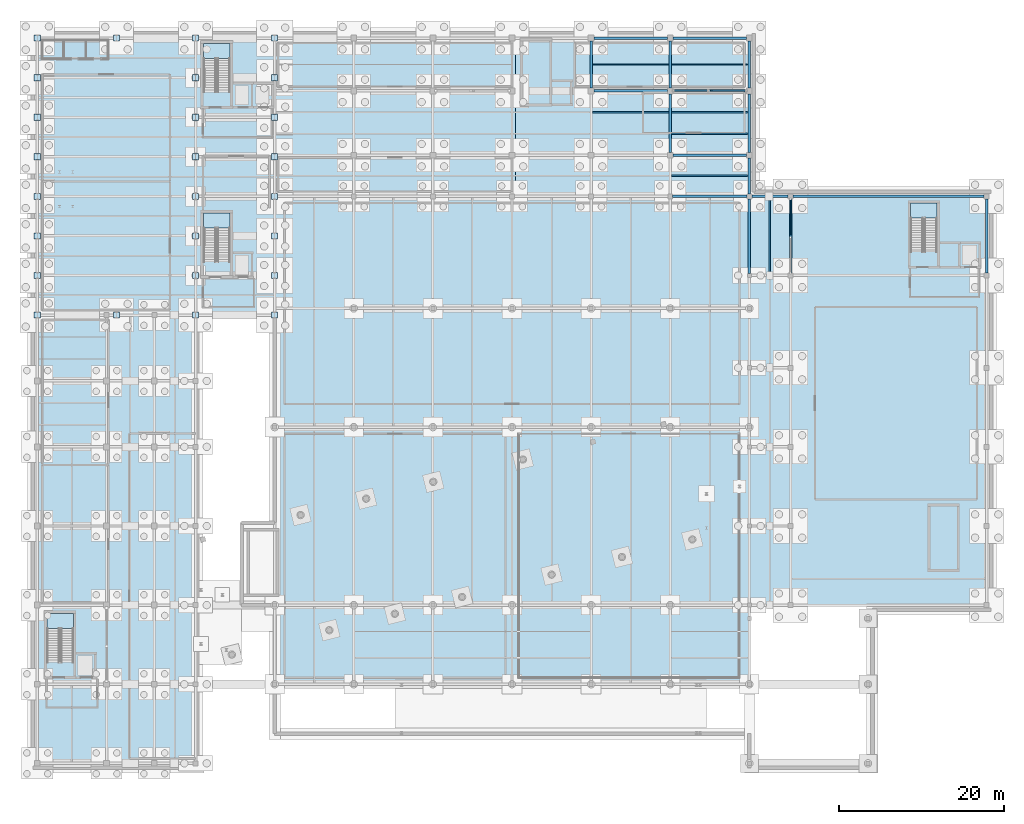
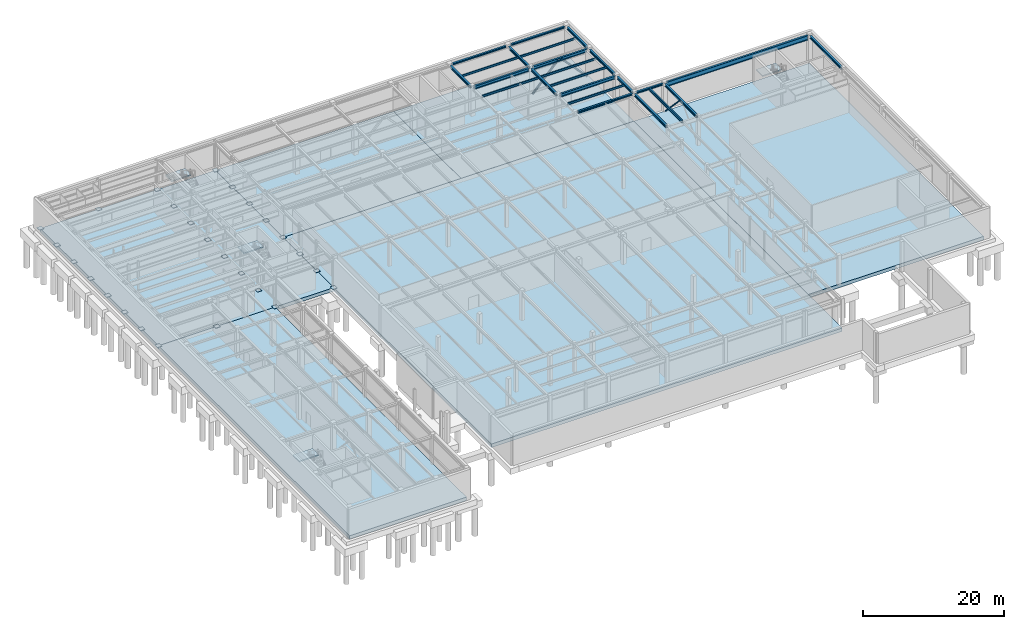
# One storey, part 19 of 33: 26 plates, 24 beams, 10 slabs, 3 members, 4 elements without a shape of their own.
"""IFC4 building model written with IfcOpenShell, lengths in metres."""

from ifc_helpers import new_model, si_unit, direction, frame, origin, origin_2d, place, context, subcontext, project, spatial, polyline, rectangle, hollow_rectangle, hollow_circle, i_section, outline, extrude, material, layer, layer_set, material_profile, profile_set, type_object, element, aggregate, save


model = new_model("IFC4")

# Units and contexts
model_context = context("Model", 3, precision=1e-05, world=origin(), true_north=direction((0.0, 1.0)))
body_context = subcontext(model_context, "Body", "Model", "MODEL_VIEW")
ifc_project = project(units=[si_unit("LENGTHUNIT", "METRE"), si_unit("AREAUNIT", "SQUARE_METRE"), si_unit("VOLUMEUNIT", "CUBIC_METRE"), si_unit("PLANEANGLEUNIT", "RADIAN"), si_unit("MASSUNIT", "GRAM", prefix="KILO")], contexts=[model_context])

# Site, building, storey
site_placement = place(None, origin())
site = spatial("IfcSite", under=ifc_project, at=site_placement, CompositionType="ELEMENT")
building_placement = place(site_placement, origin())
building = spatial("IfcBuilding", under=site, at=building_placement, Name="Nordkorset Police Headquarters", CompositionType="ELEMENT")
storey_placement = place(building_placement, frame((0.0, 0.0, -9.800048828125)))
storey = spatial("IfcBuildingStorey", under=building, at=storey_placement, Name="B02", CompositionType="ELEMENT", Elevation=-9.800048828125)

# Beams
ifc_material_1 = material(Name="Steel S355J2", Category="steel")
ifc_material_profile_1 = material_profile(ifc_material_1, i_section(OverallWidth=0.169921875, OverallDepth=0.360107421875, WebThickness=0.008056640625, FlangeThickness=0.0126953125, FilletRadius=0.01806640625, at=origin_2d()), Name="IPE 360")
ifc_profile_set_1 = profile_set([ifc_material_profile_1], Name="Steel S355J2")
beam_type_1 = type_object("IfcBeamType", Name="Beam_IPE_360", PredefinedType="BEAM", material=ifc_profile_set_1)
for number, where, z_axis, x_axis, name in (
    (1, (67.35009765625, 107.800048828125, 4.7900390625), (1.0, 0.0, 0.0), (0.0, 1.0, 0.0), "Composite Floor Beam V2 B02 4-1-2"),
    (2, (67.35009765625, 113.60009765625, 4.7900390625), (1.0, 0.0, 0.0), (0.0, 1.0, 0.0), "Composite Floor Beam V2 B02 4-2-1"),
):
    element("IfcBeam", number, at=place(storey_placement, frame(where, z_axis=z_axis, x_axis=x_axis)), inside=storey, type_object=beam_type_1, Name=name, PredefinedType="BEAM", context=body_context, shape_type="SweptSolid", body=[
        extrude(i_section(OverallWidth=0.169921875, OverallDepth=0.360107421875, WebThickness=0.008056640625, FlangeThickness=0.0126953125, FilletRadius=0.01806640625, at=origin_2d()), origin(), (0.0, 0.0, 1.0), 9.2998046875),
    ])
for number, where, z_axis, x_axis, name in (
    (3, (76.949951171875, 100.10009765625, 4.7900390625), (1.0, 0.0, 0.0), (0.0, 1.0, 0.0), "Composite Floor Beam V2 B02 5-0-1"),
    (4, (76.949951171875, 105.199951171875, 4.7900390625), (1.0, 0.0, 0.0), (0.0, 1.0, 0.0), "Composite Floor Beam V2 B02 5-1-1"),
    (5, (76.949951171875, 107.800048828125, 4.7900390625), (1.0, 0.0, 0.0), (0.0, 1.0, 0.0), "Composite Floor Beam V2 B02 5-1-2"),
    (6, (76.949951171875, 113.60009765625, 4.7900390625), (1.0, 0.0, 0.0), (0.0, 1.0, 0.0), "Composite Floor Beam V2 B02 5-2-1"),
):
    element("IfcBeam", number, at=place(storey_placement, frame(where, z_axis=z_axis, x_axis=x_axis)), inside=storey, type_object=beam_type_1, Name=name, PredefinedType="BEAM", context=body_context, shape_type="SweptSolid", body=[
        extrude(i_section(OverallWidth=0.169921875, OverallDepth=0.360107421875, WebThickness=0.008056640625, FlangeThickness=0.0126953125, FilletRadius=0.01806640625, at=origin_2d()), origin(), (0.0, 0.0, 1.0), 9.300048828125),
    ])
ifc_material_2 = material(Name="Steel S355J2", Category="steel")
ifc_material_profile_2 = material_profile(ifc_material_2, i_section(OverallWidth=0.18994140625, OverallDepth=0.449951171875, WebThickness=0.009521484375, FlangeThickness=0.0146484375, FilletRadius=0.02099609375, at=origin_2d()), Name="IPE 450")
ifc_profile_set_2 = profile_set([ifc_material_profile_2], Name="Steel S355J2")
beam_type_2 = type_object("IfcBeamType", Name="Beam_IPE_450", PredefinedType="BEAM", material=ifc_profile_set_2)
beam_1_placement = place(storey_placement, frame((88.89990234375, 88.14990234375, 4.7451171875), z_axis=(0.0, 1.0, 0.0), x_axis=(-1.0, 0.0, 0.0)))
element("IfcBeam", 7, at=beam_1_placement, inside=storey, type_object=beam_type_2, Name="Composite Floor Beam V5 B02 0-4-1", PredefinedType="BEAM", context=body_context, shape_type="SweptSolid", body=[
    extrude(i_section(OverallWidth=0.18994140625, OverallDepth=0.449951171875, WebThickness=0.009521484375, FlangeThickness=0.0146484375, FilletRadius=0.02099609375, at=origin_2d()), origin(), (0.0, 0.0, 1.0), 9.300048828125),
])

# Members
ifc_material_3 = material(Name="Steel S355J2", Category="steel")
ifc_material_profile_3 = material_profile(ifc_material_3, hollow_circle(Radius=0.109619140625, WallThickness=0.010009765625, at=origin_2d()), Name="CHS 219.1x10")
ifc_profile_set_3 = profile_set([ifc_material_profile_3], Name="Steel S355J2")
member_type_1 = type_object("IfcMemberType", Name="Brace_CHS_219.1x10", PredefinedType="BRACE", material=ifc_profile_set_3)
member_placement = place(storey_placement, frame((91.39990234375, 97.300048828125, 0.199951171875), z_axis=(0.0, -0.688541836645, 0.725196621055), x_axis=(1.0, 0.0, 0.0)))
element("IfcMember", 8, at=member_placement, inside=storey, type_object=member_type_1, Name="Lateral Chevron Brace BF-V5-A B02 D2", PredefinedType="BRACE", context=body_context, shape_type="SweptSolid", body=[
    extrude(hollow_circle(Radius=0.109619140625, WallThickness=0.010009765625, at=origin_2d()), origin(), (0.0, 0.0, 1.0), 6.274169921875),
])
ifc_material_4 = material(Name="Steel S355J2", Category="steel")
ifc_material_profile_4 = material_profile(ifc_material_4, hollow_rectangle(XDim=0.199951171875, YDim=0.199951171875, WallThickness=0.010009765625, InnerFilletRadius=0.010009765625, OuterFilletRadius=0.02001953125, at=origin_2d()), Name="SHS 200x200x10")
ifc_profile_set_4 = profile_set([ifc_material_profile_4], Name="Steel S355J2")
member_type_2 = type_object("IfcMemberType", Name="Brace_SHS_200x200x10", PredefinedType="BRACE", material=ifc_profile_set_4)
for number, where, z_axis, x_axis, name in (
    (9, (77.14990234375, 110.39990234375, 0.199951171875), (0.684311963758, 0.0, 0.729189369271), (0.0, 1.0, 0.0), "Lateral Chevron Brace BF-V2-B B02 D1"),
    (10, (86.050048828125, 110.39990234375, 0.199951171875), (-0.684311963758, 0.0, 0.729189369271), (0.0, -1.0, 0.0), "Lateral Chevron Brace BF-V2-B B02 D2"),
):
    element("IfcMember", number, at=place(storey_placement, frame(where, z_axis=z_axis, x_axis=x_axis)), inside=storey, type_object=member_type_2, Name=name, PredefinedType="BRACE", context=body_context, shape_type="SweptSolid", body=[
        extrude(hollow_rectangle(XDim=0.199951171875, YDim=0.199951171875, WallThickness=0.010009765625, InnerFilletRadius=0.010009765625, OuterFilletRadius=0.02001953125, at=origin_2d()), origin(), (0.0, 0.0, 1.0), 6.239990234375),
    ])

# Beams
ifc_material_5 = material(Name="Steel S355J2", Category="steel")
ifc_material_profile_5 = material_profile(ifc_material_5, i_section(OverallWidth=0.300048828125, OverallDepth=0.43994140625, WebThickness=0.011474609375, FlangeThickness=0.02099609375, FilletRadius=0.027099609375, at=origin_2d()), Name="HEA 450")
ifc_profile_set_5 = profile_set([ifc_material_profile_5], Name="Steel S355J2")
beam_type_3 = type_object("IfcBeamType", Name="Girder_HEA_450", PredefinedType="USERDEFINED", material=ifc_profile_set_5)
beam_2_placement = place(storey_placement, frame((67.199951171875, 110.75, 4.75), z_axis=(0.0, 1.0, 0.0), x_axis=(-1.0, 0.0, 0.0)))
element("IfcBeam", 11, at=beam_2_placement, inside=storey, type_object=beam_type_3, Name="Girder V2 B02 GY-4-2", ObjectType="GIRDER", PredefinedType="USERDEFINED", context=body_context, shape_type="SweptSolid", body=[
    extrude(i_section(OverallWidth=0.300048828125, OverallDepth=0.43994140625, WebThickness=0.011474609375, FlangeThickness=0.02099609375, FilletRadius=0.027099609375, at=origin_2d()), origin(), (0.0, 0.0, 1.0), 5.699951171875),
])
beam_3_placement = place(storey_placement, frame((76.800048828125, 102.949951171875, 4.75), z_axis=(0.0, 1.0, 0.0), x_axis=(-1.0, 0.0, 0.0)))
element("IfcBeam", 12, at=beam_3_placement, inside=storey, type_object=beam_type_3, Name="Girder V2 B02 GY-5-1", ObjectType="GIRDER", PredefinedType="USERDEFINED", context=body_context, shape_type="SweptSolid", body=[
    extrude(i_section(OverallWidth=0.300048828125, OverallDepth=0.43994140625, WebThickness=0.011474609375, FlangeThickness=0.02099609375, FilletRadius=0.027099609375, at=origin_2d()), origin(), (0.0, 0.0, 1.0), 7.10009765625),
])
beam_4_placement = place(storey_placement, frame((76.800048828125, 110.75, 4.75), z_axis=(0.0, 1.0, 0.0), x_axis=(-1.0, 0.0, 0.0)))
element("IfcBeam", 13, at=beam_4_placement, inside=storey, type_object=beam_type_3, Name="Girder V2 B02 GY-5-2", ObjectType="GIRDER", PredefinedType="USERDEFINED", context=body_context, shape_type="SweptSolid", body=[
    extrude(i_section(OverallWidth=0.300048828125, OverallDepth=0.43994140625, WebThickness=0.011474609375, FlangeThickness=0.02099609375, FilletRadius=0.027099609375, at=origin_2d()), origin(), (0.0, 0.0, 1.0), 5.699951171875),
])
beam_5_placement = place(storey_placement, frame((86.39990234375, 97.89990234375, 4.75), z_axis=(0.0, 1.0, 0.0), x_axis=(-1.0, 0.0, 0.0)))
element("IfcBeam", 14, at=beam_5_placement, inside=storey, type_object=beam_type_3, Name="Girder V2 B02 GY-6-0", ObjectType="GIRDER", PredefinedType="USERDEFINED", context=body_context, shape_type="SweptSolid", body=[
    extrude(i_section(OverallWidth=0.300048828125, OverallDepth=0.43994140625, WebThickness=0.011474609375, FlangeThickness=0.02099609375, FilletRadius=0.027099609375, at=origin_2d()), origin(), (0.0, 0.0, 1.0), 4.35009765625),
])
beam_6_placement = place(storey_placement, frame((86.39990234375, 102.949951171875, 4.75), z_axis=(0.0, 1.0, 0.0), x_axis=(-1.0, 0.0, 0.0)))
element("IfcBeam", 15, at=beam_6_placement, inside=storey, type_object=beam_type_3, Name="Girder V2 B02 GY-6-1", ObjectType="GIRDER", PredefinedType="USERDEFINED", context=body_context, shape_type="SweptSolid", body=[
    extrude(i_section(OverallWidth=0.300048828125, OverallDepth=0.43994140625, WebThickness=0.011474609375, FlangeThickness=0.02099609375, FilletRadius=0.027099609375, at=origin_2d()), origin(), (0.0, 0.0, 1.0), 7.10009765625),
])
beam_7_placement = place(storey_placement, frame((86.39990234375, 110.75, 4.75), z_axis=(0.0, 1.0, 0.0), x_axis=(-1.0, 0.0, 0.0)))
element("IfcBeam", 16, at=beam_7_placement, inside=storey, type_object=beam_type_3, Name="Girder V2 B02 GY-6-2", ObjectType="GIRDER", PredefinedType="USERDEFINED", context=body_context, shape_type="SweptSolid", body=[
    extrude(i_section(OverallWidth=0.300048828125, OverallDepth=0.43994140625, WebThickness=0.011474609375, FlangeThickness=0.02099609375, FilletRadius=0.027099609375, at=origin_2d()), origin(), (0.0, 0.0, 1.0), 5.699951171875),
])
beam_8_placement = place(storey_placement, frame((86.39990234375, 88.25, 4.75), z_axis=(0.0, 1.0, 0.0), x_axis=(-1.0, 0.0, 0.0)))
element("IfcBeam", 17, at=beam_8_placement, inside=storey, type_object=beam_type_3, Name="Girder V5 B02 GY-0-4", ObjectType="GIRDER", PredefinedType="USERDEFINED", context=body_context, shape_type="SweptSolid", body=[
    extrude(i_section(OverallWidth=0.300048828125, OverallDepth=0.43994140625, WebThickness=0.011474609375, FlangeThickness=0.02099609375, FilletRadius=0.027099609375, at=origin_2d()), origin(), (0.0, 0.0, 1.0), 9.050048828125),
])
for number, where, z_axis, x_axis, name in (
    (18, (91.39990234375, 88.300048828125, 4.75), (0.0, 1.0, 0.0), (-1.0, 0.0, 0.0), "Girder V5 B02 GY-1-4"),
    (19, (115.199951171875, 88.300048828125, 4.75), (0.0, 1.0, 0.0), (-1.0, 0.0, 0.0), "Girder V5 B02 GY-2-4"),
):
    element("IfcBeam", number, at=place(storey_placement, frame(where, z_axis=z_axis, x_axis=x_axis)), inside=storey, type_object=beam_type_3, Name=name, ObjectType="GIRDER", PredefinedType="USERDEFINED", context=body_context, shape_type="SweptSolid", body=[
        extrude(i_section(OverallWidth=0.300048828125, OverallDepth=0.43994140625, WebThickness=0.011474609375, FlangeThickness=0.02099609375, FilletRadius=0.027099609375, at=origin_2d()), origin(), (0.0, 0.0, 1.0), 9.0),
    ])
ifc_material_6 = material(Name="Steel S355J2", Category="steel")
ifc_material_profile_6 = material_profile(ifc_material_6, i_section(OverallWidth=0.300048828125, OverallDepth=0.5400390625, WebThickness=0.012451171875, FlangeThickness=0.02392578125, FilletRadius=0.027099609375, at=origin_2d()), Name="HEA 550")
ifc_profile_set_6 = profile_set([ifc_material_profile_6], Name="Steel S355J2")
beam_type_4 = type_object("IfcBeamType", Name="Girder_HEA_550", PredefinedType="USERDEFINED", material=ifc_profile_set_6)
beam_9_placement = place(storey_placement, frame((77.14990234375, 102.60009765625, 4.699951171875), z_axis=(1.0, 0.0, 0.0), x_axis=(0.0, 1.0, 0.0)))
element("IfcBeam", 20, at=beam_9_placement, inside=storey, type_object=beam_type_4, Name="Girder V2 B02 GX-1-5", ObjectType="GIRDER", PredefinedType="USERDEFINED", context=body_context, shape_type="SweptSolid", body=[
    extrude(i_section(OverallWidth=0.300048828125, OverallDepth=0.5400390625, WebThickness=0.012451171875, FlangeThickness=0.02392578125, FilletRadius=0.027099609375, at=origin_2d()), origin(), (0.0, 0.0, 1.0), 8.900146484375),
])
beam_10_placement = place(storey_placement, frame((67.550048828125, 110.39990234375, 4.699951171875), z_axis=(1.0, 0.0, 0.0), x_axis=(0.0, 1.0, 0.0)))
element("IfcBeam", 21, at=beam_10_placement, inside=storey, type_object=beam_type_4, Name="Girder V2 B02 GX-2-4", ObjectType="GIRDER", PredefinedType="USERDEFINED", context=body_context, shape_type="SweptSolid", body=[
    extrude(i_section(OverallWidth=0.300048828125, OverallDepth=0.5400390625, WebThickness=0.012451171875, FlangeThickness=0.02392578125, FilletRadius=0.027099609375, at=origin_2d()), origin(), (0.0, 0.0, 1.0), 8.89990234375),
])
beam_11_placement = place(storey_placement, frame((77.14990234375, 110.39990234375, 4.699951171875), z_axis=(1.0, 0.0, 0.0), x_axis=(0.0, 1.0, 0.0)))
element("IfcBeam", 22, at=beam_11_placement, inside=storey, type_object=beam_type_4, Name="Girder V2 B02 GX-2-5", ObjectType="GIRDER", PredefinedType="USERDEFINED", context=body_context, shape_type="SweptSolid", body=[
    extrude(i_section(OverallWidth=0.300048828125, OverallDepth=0.5400390625, WebThickness=0.012451171875, FlangeThickness=0.02392578125, FilletRadius=0.027099609375, at=origin_2d()), origin(), (0.0, 0.0, 1.0), 8.900146484375),
])
ifc_material_7 = material(Name="Steel S355J2", Category="steel")
ifc_material_profile_7 = material_profile(ifc_material_7, i_section(OverallWidth=0.300048828125, OverallDepth=0.800048828125, WebThickness=0.017578125, FlangeThickness=0.032958984375, FilletRadius=0.030029296875, at=origin_2d()), Name="HEB 800")
ifc_profile_set_7 = profile_set([ifc_material_profile_7], Name="Steel S355J2")
beam_type_5 = type_object("IfcBeamType", Name="Girder_HEB_800", PredefinedType="USERDEFINED", material=ifc_profile_set_7)
beam_12_placement = place(storey_placement, frame((91.699951171875, 97.60009765625, 4.570068359375), z_axis=(1.0, 0.0, 0.0), x_axis=(0.0, 1.0, 0.0)))
element("IfcBeam", 23, at=beam_12_placement, inside=storey, type_object=beam_type_5, Name="Girder V5 B02 GX-5-1", ObjectType="GIRDER", PredefinedType="USERDEFINED", context=body_context, shape_type="SweptSolid", body=[
    extrude(i_section(OverallWidth=0.300048828125, OverallDepth=0.800048828125, WebThickness=0.017578125, FlangeThickness=0.032958984375, FilletRadius=0.030029296875, at=origin_2d()), origin(), (0.0, 0.0, 1.0), 23.199951171875),
])
ifc_material_8 = material(Name="Steel S355J2", Category="steel")
ifc_material_profile_8 = material_profile(ifc_material_8, i_section(OverallWidth=0.300048828125, OverallDepth=0.31005859375, WebThickness=0.009033203125, FlangeThickness=0.015380859375, FilletRadius=0.027099609375, at=origin_2d()), Name="HEA 320")
ifc_profile_set_8 = profile_set([ifc_material_profile_8], Name="Steel S355J2")
beam_type_6 = type_object("IfcBeamType", Name="Spandrel_HEA_320", PredefinedType="SPANDREL", material=ifc_profile_set_8)
beam_13_placement = place(storey_placement, frame((77.10009765625, 97.60009765625, 4.81494140625), z_axis=(1.0, 0.0, 0.0), x_axis=(0.0, 1.0, 0.0)))
element("IfcBeam", 24, at=beam_13_placement, inside=storey, type_object=beam_type_6, Name="Girder V2 B02 GX-0-5", PredefinedType="SPANDREL", context=body_context, shape_type="SweptSolid", body=[
    extrude(i_section(OverallWidth=0.300048828125, OverallDepth=0.31005859375, WebThickness=0.009033203125, FlangeThickness=0.015380859375, FilletRadius=0.027099609375, at=origin_2d()), origin(), (0.0, 0.0, 1.0), 9.0),
])
beam_14_placement = place(storey_placement, frame((67.550048828125, 116.800048828125, 4.81494140625), z_axis=(1.0, 0.0, 0.0), x_axis=(0.0, 1.0, 0.0)))
element("IfcBeam", 25, at=beam_14_placement, inside=storey, type_object=beam_type_6, Name="Girder V2 B02 GX-3-4", PredefinedType="SPANDREL", context=body_context, shape_type="SweptSolid", body=[
    extrude(i_section(OverallWidth=0.300048828125, OverallDepth=0.31005859375, WebThickness=0.009033203125, FlangeThickness=0.015380859375, FilletRadius=0.027099609375, at=origin_2d()), origin(), (0.0, 0.0, 1.0), 8.89990234375),
])
beam_15_placement = place(storey_placement, frame((77.14990234375, 116.800048828125, 4.81494140625), z_axis=(1.0, 0.0, 0.0), x_axis=(0.0, 1.0, 0.0)))
element("IfcBeam", 26, at=beam_15_placement, inside=storey, type_object=beam_type_6, Name="Girder V2 B02 GX-3-5", PredefinedType="SPANDREL", context=body_context, shape_type="SweptSolid", body=[
    extrude(i_section(OverallWidth=0.300048828125, OverallDepth=0.31005859375, WebThickness=0.009033203125, FlangeThickness=0.015380859375, FilletRadius=0.027099609375, at=origin_2d()), origin(), (0.0, 0.0, 1.0), 8.900146484375),
])
beam_16_placement = place(storey_placement, frame((86.699951171875, 97.60009765625, 4.81494140625), z_axis=(1.0, 0.0, 0.0), x_axis=(0.0, 1.0, 0.0)))
element("IfcBeam", 27, at=beam_16_placement, inside=storey, type_object=beam_type_6, Name="Girder V5 B02 GX-5-0", PredefinedType="SPANDREL", context=body_context, shape_type="SweptSolid", body=[
    extrude(i_section(OverallWidth=0.300048828125, OverallDepth=0.31005859375, WebThickness=0.009033203125, FlangeThickness=0.015380859375, FilletRadius=0.027099609375, at=origin_2d()), origin(), (0.0, 0.0, 1.0), 4.400146484375),
])

# Slabs
ifc_material_9 = material(Name="Concrete C35/45", Category="concrete")
ifc_layer_1 = layer(ifc_material_9, 0.60009765625, Name="Concrete C35/45")
ifc_layer_set_1 = layer_set([ifc_layer_1], Name="Concrete C35/45")
slab_type_1 = type_object("IfcSlabType", Name="Slab_Raft_600", PredefinedType="BASESLAB", material=ifc_layer_set_1)
slab_1_placement = place(storey_placement, frame((0.0, 0.0, -0.599853515625)))
element("IfcSlab", 28, at=slab_1_placement, inside=storey, type_object=slab_type_1, Name="Piled Basement Raft Slab RAFT-V1", PredefinedType="BASESLAB", context=body_context, shape_type="SweptSolid", body=[
    extrude(outline(polyline([(0.0, 83.199951171875), (28.800048828125, 83.199951171875), (28.800048828125, 116.800048828125), (0.0, 116.800048828125), (0.0, 83.199951171875)])), origin(), (0.0, 0.0, 1.0), 0.599853515625),
])
slab_2_placement = place(storey_placement, frame((0.0, 0.0, -0.599853515625)))
element("IfcSlab", 29, at=slab_2_placement, inside=storey, type_object=slab_type_1, Name="Piled Basement Raft Slab RAFT-V2A", PredefinedType="BASESLAB", context=body_context, shape_type="SweptSolid", body=[
    extrude(outline(polyline([(28.802001953125, 97.60009765625), (58.0, 97.60009765625), (58.0, 116.800048828125), (28.802001953125, 116.800048828125), (28.802001953125, 97.60009765625)])), origin(), (0.0, 0.0, 1.0), 0.599853515625),
])
slab_3_placement = place(storey_placement, frame((0.0, 0.0, -0.599853515625)))
element("IfcSlab", 30, at=slab_3_placement, inside=storey, type_object=slab_type_1, Name="Piled Basement Raft Slab RAFT-V2B", PredefinedType="BASESLAB", context=body_context, shape_type="SweptSolid", body=[
    extrude(outline(polyline([(58.001953125, 97.60009765625), (86.39990234375, 97.60009765625), (86.39990234375, 116.800048828125), (58.001953125, 116.800048828125), (58.001953125, 97.60009765625)])), origin(), (0.0, 0.0, 1.0), 0.599853515625),
])
slab_4_placement = place(storey_placement, frame((0.0, 0.0, -0.599853515625)))
element("IfcSlab", 31, at=slab_4_placement, inside=storey, type_object=slab_type_1, Name="Piled Basement Raft Slab RAFT-V3", PredefinedType="BASESLAB", context=body_context, shape_type="SweptSolid", body=[
    extrude(outline(polyline([(0.0, 28.800048828125), (19.199951171875, 28.800048828125), (19.199951171875, 83.197998046875), (0.0, 83.197998046875), (0.0, 28.800048828125)])), origin(), (0.0, 0.0, 1.0), 0.599853515625),
])
slab_5_placement = place(storey_placement, frame((0.0, 0.0, -0.599853515625)))
element("IfcSlab", 32, at=slab_5_placement, inside=storey, type_object=slab_type_1, Name="Piled Basement Raft Slab RAFT-COURT", PredefinedType="BASESLAB", context=body_context, shape_type="SweptSolid", body=[
    extrude(outline(polyline([(28.802001953125, 38.39990234375), (86.39990234375, 38.39990234375), (86.39990234375, 97.597900390625), (28.802001953125, 97.597900390625), (28.802001953125, 38.39990234375)])), origin(), (0.0, 0.0, 1.0), 0.599853515625),
])
slab_6_placement = place(storey_placement, frame((0.0, 0.0, -0.599853515625)))
element("IfcSlab", 33, at=slab_6_placement, inside=storey, type_object=slab_type_1, Name="Piled Basement Raft Slab RAFT-V5", PredefinedType="BASESLAB", context=body_context, shape_type="SweptSolid", body=[
    extrude(outline(polyline([(86.402099609375, 48.0), (115.199951171875, 48.0), (115.199951171875, 97.597900390625), (86.402099609375, 97.597900390625), (86.402099609375, 48.0)])), origin(), (0.0, 0.0, 1.0), 0.599853515625),
])

# Stair, slab
ifc_material_10 = material(Name="Concrete C35/45", Category="concrete")
stair_type = type_object("IfcStairType", Name="ST-52", PredefinedType="HALF_TURN_STAIR", material=ifc_material_10)
stair_1_placement = place(storey_placement, origin())
stair_1 = element("IfcStair", 34, at=stair_1_placement, inside=storey, type_object=stair_type, Name="B02 Protected Escape Stair ST-01", PredefinedType="HALF_TURN_STAIR")
ifc_material_11 = material(Name="Concrete C35/45", Category="concrete")
ifc_layer_2 = layer(ifc_material_11, 0.199951171875, Name="Concrete C35/45")
ifc_layer_set_2 = layer_set([ifc_layer_2], Name="Concrete C35/45")
slab_type_2 = type_object("IfcSlabType", Name="Slab_StairLanding_200", PredefinedType="LANDING", material=ifc_layer_set_2)
slab_7_placement = place(storey_placement, frame((0.0, 0.0, 2.425048828125)))
slab_7 = element("IfcSlab", 35, at=slab_7_placement, type_object=slab_type_2, Name="ST-01 landing 1", PredefinedType="LANDING", context=body_context, shape_type="SweptSolid", body=[
    extrude(outline(polyline([(23.375, 114.35498046875), (23.375, 116.175048828125), (20.175048828125, 116.175048828125), (20.175048828125, 114.35498046875), (23.375, 114.35498046875)])), origin(), (0.0, 0.0, 1.0), 0.199951171875),
])
aggregate(stair_1, [slab_7])

stair_2_placement = place(storey_placement, origin())
stair_2 = element("IfcStair", 36, at=stair_2_placement, inside=storey, type_object=stair_type, Name="B02 Protected Escape Stair ST-03", PredefinedType="HALF_TURN_STAIR")
slab_8_placement = place(storey_placement, frame((0.0, 0.0, 2.425048828125)))
slab_8 = element("IfcSlab", 37, at=slab_8_placement, type_object=slab_type_2, Name="ST-03 landing 1", PredefinedType="LANDING", context=body_context, shape_type="SweptSolid", body=[
    extrude(outline(polyline([(23.375, 93.7548828125), (23.375, 95.574951171875), (20.175048828125, 95.574951171875), (20.175048828125, 93.7548828125), (23.375, 93.7548828125)])), origin(), (0.0, 0.0, 1.0), 0.199951171875),
])
aggregate(stair_2, [slab_8])

stair_3_placement = place(storey_placement, origin())
stair_3 = element("IfcStair", 38, at=stair_3_placement, inside=storey, type_object=stair_type, Name="B02 Protected Escape Stair ST-04", PredefinedType="HALF_TURN_STAIR")
slab_9_placement = place(storey_placement, frame((0.0, 0.0, 2.425048828125)))
slab_9 = element("IfcSlab", 39, at=slab_9_placement, type_object=slab_type_2, Name="ST-04 landing 1", PredefinedType="LANDING", context=body_context, shape_type="SweptSolid", body=[
    extrude(outline(polyline([(4.375, 45.155029296875), (4.375, 46.97509765625), (1.175048828125, 46.97509765625), (1.175048828125, 45.155029296875), (4.375, 45.155029296875)])), origin(), (0.0, 0.0, 1.0), 0.199951171875),
])
aggregate(stair_3, [slab_9])

stair_4_placement = place(storey_placement, origin())
stair_4 = element("IfcStair", 40, at=stair_4_placement, inside=storey, type_object=stair_type, Name="B02 Protected Escape Stair ST-05", PredefinedType="HALF_TURN_STAIR")
slab_10_placement = place(storey_placement, frame((0.0, 0.0, 2.425048828125)))
slab_10 = element("IfcSlab", 41, at=slab_10_placement, type_object=slab_type_2, Name="ST-05 landing 1", PredefinedType="LANDING", context=body_context, shape_type="SweptSolid", body=[
    extrude(outline(polyline([(109.175048828125, 94.955078125), (109.175048828125, 96.77490234375), (105.97509765625, 96.77490234375), (105.97509765625, 94.955078125), (109.175048828125, 94.955078125)])), origin(), (0.0, 0.0, 1.0), 0.199951171875),
])
aggregate(stair_4, [slab_10])

# Plates
ifc_material_12 = material(Name="Steel S355J2", Category="steel")
ifc_layer_3 = layer(ifc_material_12, 0.0400390625, Name="Steel S355J2")
ifc_layer_set_3 = layer_set([ifc_layer_3], Name="Steel S355J2")
plate_type = type_object("IfcPlateType", Name="SteelPlate_40mm", PredefinedType="SHEET", material=ifc_layer_set_3)
for number, where, z_axis, x_axis, name in (
    (42, (0.0, 83.199951171875, 0.0), (0.0, 0.0, 1.0), (1.0, 0.0, 0.0), "Column Baseplate V1_W_0"),
    (43, (28.800048828125, 83.199951171875, 0.0), (0.0, 0.0, 1.0), (1.0, 0.0, 0.0), "Column Baseplate V1_E_0"),
    (44, (0.0, 88.0, 0.0), (0.0, 0.0, 1.0), (1.0, 0.0, 0.0), "Column Baseplate V1_W_1"),
    (45, (28.800048828125, 88.0, 0.0), (0.0, 0.0, 1.0), (1.0, 0.0, 0.0), "Column Baseplate V1_E_1"),
    (46, (0.0, 92.800048828125, 0.0), (0.0, 0.0, 1.0), (1.0, 0.0, 0.0), "Column Baseplate V1_W_2"),
    (47, (28.800048828125, 92.800048828125, 0.0), (0.0, 0.0, 1.0), (1.0, 0.0, 0.0), "Column Baseplate V1_E_2"),
    (48, (0.0, 97.60009765625, 0.0), (0.0, 0.0, 1.0), (1.0, 0.0, 0.0), "Column Baseplate V1_W_3"),
    (49, (28.800048828125, 97.60009765625, 0.0), (0.0, 0.0, 1.0), (1.0, 0.0, 0.0), "Column Baseplate V1_E_3"),
    (50, (0.0, 102.39990234375, 0.0), (0.0, 0.0, 1.0), (1.0, 0.0, 0.0), "Column Baseplate V1_W_4"),
    (51, (28.800048828125, 102.39990234375, 0.0), (0.0, 0.0, 1.0), (1.0, 0.0, 0.0), "Column Baseplate V1_E_4"),
    (52, (0.0, 107.199951171875, 0.0), (0.0, 0.0, 1.0), (1.0, 0.0, 0.0), "Column Baseplate V1_W_5"),
    (53, (28.800048828125, 107.199951171875, 0.0), (0.0, 0.0, 1.0), (1.0, 0.0, 0.0), "Column Baseplate V1_E_5"),
    (54, (0.0, 112.0, 0.0), (0.0, 0.0, 1.0), (1.0, 0.0, 0.0), "Column Baseplate V1_W_6"),
    (55, (28.800048828125, 112.0, 0.0), (0.0, 0.0, 1.0), (1.0, 0.0, 0.0), "Column Baseplate V1_E_6"),
    (56, (0.0, 116.800048828125, 0.0), (0.0, 0.0, 1.0), (1.0, 0.0, 0.0), "Column Baseplate V1_W_7"),
    (57, (28.800048828125, 116.800048828125, 0.0), (0.0, 0.0, 1.0), (1.0, 0.0, 0.0), "Column Baseplate V1_E_7"),
    (58, (9.60009765625, 83.199951171875, 0.0), (0.0, 0.0, 1.0), (1.0, 0.0, 0.0), "Column Baseplate V1_S_0"),
    (59, (9.60009765625, 116.800048828125, 0.0), (0.0, 0.0, 1.0), (1.0, 0.0, 0.0), "Column Baseplate V1_N_0"),
    (60, (19.199951171875, 83.199951171875, 0.0), (0.0, 0.0, 1.0), (1.0, 0.0, 0.0), "Column Baseplate V1_S_1"),
    (61, (19.199951171875, 116.800048828125, 0.0), (0.0, 0.0, 1.0), (1.0, 0.0, 0.0), "Column Baseplate V1_N_1"),
    (62, (19.199951171875, 88.0, 0.0), (0.0, 0.0, 1.0), (1.0, 0.0, 0.0), "Column Baseplate V1_CW_0"),
    (63, (19.199951171875, 92.800048828125, 0.0), (0.0, 0.0, 1.0), (1.0, 0.0, 0.0), "Column Baseplate V1_CW_1"),
    (64, (19.199951171875, 97.60009765625, 0.0), (0.0, 0.0, 1.0), (1.0, 0.0, 0.0), "Column Baseplate V1_CW_2"),
    (65, (19.199951171875, 102.39990234375, 0.0), (0.0, 0.0, 1.0), (1.0, 0.0, 0.0), "Column Baseplate V1_CW_3"),
    (66, (19.199951171875, 107.199951171875, 0.0), (0.0, 0.0, 1.0), (1.0, 0.0, 0.0), "Column Baseplate V1_CW_4"),
    (67, (19.199951171875, 112.0, 0.0), (0.0, 0.0, 1.0), (1.0, 0.0, 0.0), "Column Baseplate V1_CW_5"),
):
    element("IfcPlate", number, at=place(storey_placement, frame(where, z_axis=z_axis, x_axis=x_axis)), inside=storey, type_object=plate_type, Name=name, PredefinedType="SHEET", context=body_context, shape_type="SweptSolid", body=[
        extrude(rectangle(XDim=0.75, YDim=0.75, at=origin_2d()), origin(), (0.0, 0.0, 1.0), 0.0400390625),
    ])

save(model, "model.ifc")
